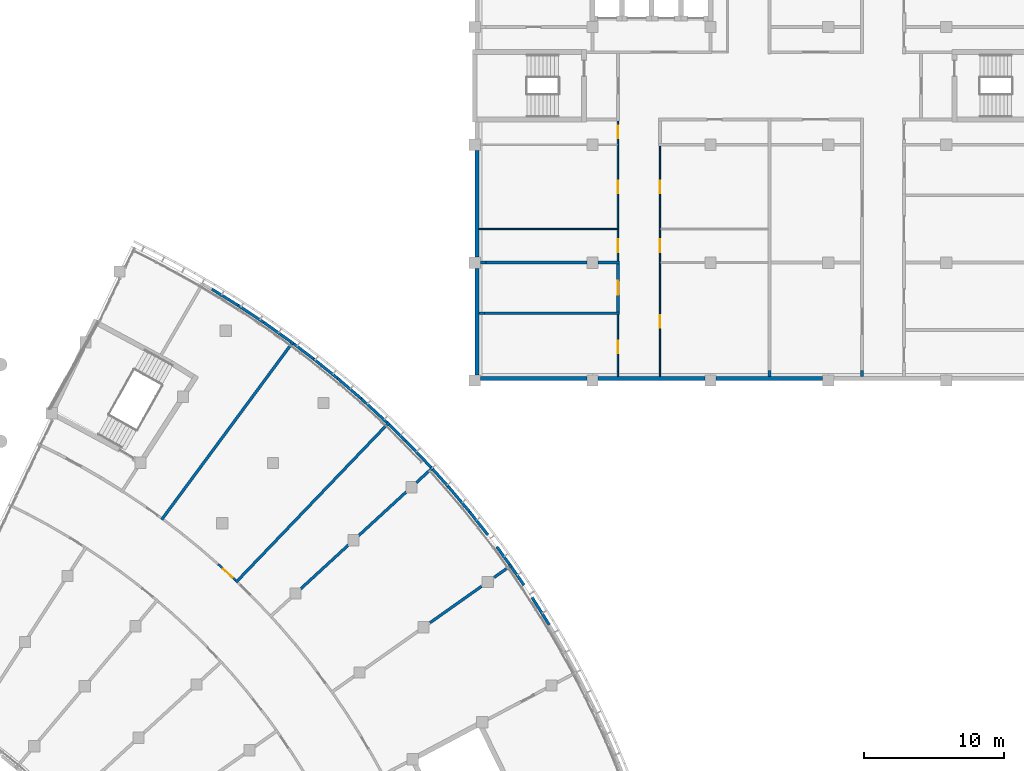
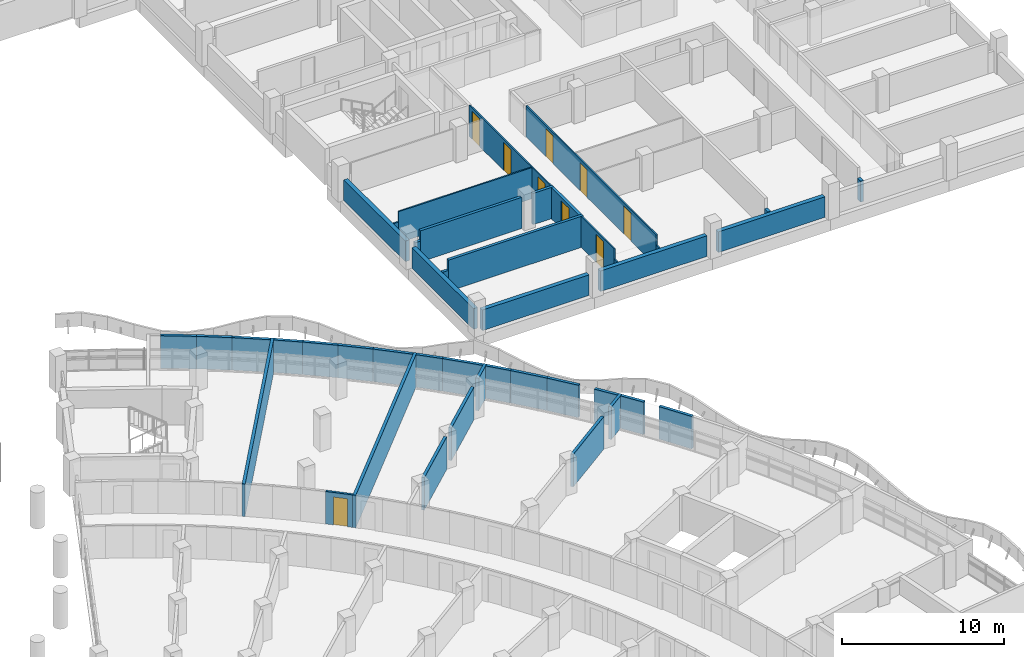
# One storey, part 54 of 89: 43 walls, 9 doors, 9 openings.
"""IFC4 building model written with IfcOpenShell, lengths in metres."""

from ifc_helpers import new_model, si_unit, direction, frame, frame_2d, origin, place, context, subcontext, project, spatial, rectangle, extrude, material, layer, layer_set, type_object, element, fill, save


model = new_model("IFC4")

# Units and contexts
model_context = context("Model", 3, precision=1e-05, world=origin(), true_north=direction((0.0, 1.0)))
body_context = subcontext(model_context, "Body", "Model", "MODEL_VIEW")
ifc_project = project(units=[si_unit("LENGTHUNIT", "METRE"), si_unit("AREAUNIT", "SQUARE_METRE"), si_unit("VOLUMEUNIT", "CUBIC_METRE"), si_unit("PLANEANGLEUNIT", "RADIAN"), si_unit("MASSUNIT", "GRAM", prefix="KILO")], contexts=[model_context])

# Site, building, storey
site_placement = place(None, origin())
site = spatial("IfcSite", under=ifc_project, at=site_placement, CompositionType="ELEMENT")
building_placement = place(site_placement, origin())
building = spatial("IfcBuilding", under=site, at=building_placement, Name="Bougainvillea Quay General Hospital", CompositionType="ELEMENT")
storey_placement = place(building_placement, frame((0.0, 0.0, 9.89990234375)))
storey = spatial("IfcBuildingStorey", under=building, at=storey_placement, Name="L01M", CompositionType="ELEMENT", Elevation=9.89990234375)

# Walls
ifc_material_1 = material(Name="Pale stone rainscreen cladding on insulated masonry backing, pale stone", Category="masonry")
ifc_layer_1 = layer(ifc_material_1, 0.300048828125)
ifc_layer_set_1 = layer_set([ifc_layer_1], Name="Pale stone rainscreen cladding on insulated masonry backing, pale stone")
wall_type_1 = type_object("IfcWallType", Name="External wall pale stone rainscreen 300", PredefinedType="STANDARD", material=ifc_layer_set_1)
for number, where, z_axis, x_axis, name in (
    (1, (163.949951171875, 92.0, 0.0), (0.0, 0.0, 1.0), (0.0, -1.0, 0.0), "External wall wall/V3/L01M/p0/00e"),
    (2, (163.949951171875, 83.60009765625, 0.0), (0.0, 0.0, 1.0), (0.0, -1.0, 0.0), "External wall wall/V3/L01M/p0/00f"),
    (3, (164.199951171875, 75.75, 0.0), (0.0, 0.0, 1.0), (1.0, 0.0, 0.0), "External wall wall/V3/L01M/p0/01a"),
):
    element("IfcWall", number, at=place(storey_placement, frame(where, z_axis=z_axis, x_axis=x_axis)), inside=storey, type_object=wall_type_1, Name=name, PredefinedType="STANDARD", context=body_context, shape_type="SweptSolid", body=[
        extrude(rectangle(XDim=7.60009765625, YDim=0.300048828125, at=frame_2d((3.800048828125, 0.0))), origin(), (0.0, 0.0, 1.0), 1.550048828125),
    ])
wall_1_placement = place(storey_placement, frame((172.60009765625, 75.75, 0.0), z_axis=(0.0, 0.0, 1.0), x_axis=(1.0, 0.0, 0.0)))
element("IfcWall", 4, at=wall_1_placement, inside=storey, type_object=wall_type_1, Name="External wall wall/V3/L01M/p0/01b", PredefinedType="STANDARD", context=body_context, shape_type="SweptSolid", body=[
    extrude(rectangle(XDim=7.599853515625, YDim=0.300048828125, at=frame_2d((3.7998046875, 0.0))), origin(), (0.0, 0.0, 1.0), 1.550048828125),
])
wall_2_placement = place(storey_placement, frame((181.0, 75.75, 0.0), z_axis=(0.0, 0.0, 1.0), x_axis=(1.0, 0.0, 0.0)))
element("IfcWall", 5, at=wall_2_placement, inside=storey, type_object=wall_type_1, Name="External wall wall/V3/L01M/p0/01c", PredefinedType="STANDARD", context=body_context, shape_type="SweptSolid", body=[
    extrude(rectangle(XDim=7.60009765625, YDim=0.300048828125, at=frame_2d((3.800048828125, 0.0))), origin(), (0.0, 0.0, 1.0), 1.550048828125),
])

# Wall, openings, doors
ifc_material_2 = material(Name="Gypsum board partition on steel studs", Category="steel")
ifc_layer_2 = layer(ifc_material_2, 0.10009765625)
ifc_layer_set_2 = layer_set([ifc_layer_2], Name="Gypsum board partition on steel studs")
wall_type_2 = type_object("IfcWallType", Name="Partition 100 Gypsum board partition", PredefinedType="PARTITIONING", material=ifc_layer_set_2)
wall_3_placement = place(storey_placement, frame((177.0, 92.300048828125, 0.0), z_axis=(0.0, 0.0, 1.0), x_axis=(0.0, -1.0, 0.0)))
wall_3 = element("IfcWall", 6, at=wall_3_placement, inside=storey, type_object=wall_type_2, Name="Partition 100 mm", PredefinedType="PARTITIONING", context=body_context, shape_type="SweptSolid", body=[
    extrude(rectangle(XDim=16.050048828125, YDim=0.10009765625, at=frame_2d((8.02490234375, 0.0))), origin(), (0.0, 0.0, 1.0), 2.35009765625),
])
opening_1_placement = place(wall_3_placement, frame((2.449951171875, 0.0, 0.0)))
opening_1 = element("IfcOpeningElement", 7, at=opening_1_placement, cuts=wall_3, Name="Opening L01M.059", PredefinedType="OPENING", context=body_context, shape_type="SweptSolid", body=[
    extrude(rectangle(XDim=0.89990234375, YDim=2.10009765625, at=frame_2d((0.449951171875, 1.050048828125))), frame((0.0, 0.06005859375, 0.0), z_axis=(0.0, -1.0, 0.0), x_axis=(1.0, 0.0, 0.0)), (0.0, 0.0, 1.0), 0.1201171875),
])
opening_2_placement = place(wall_3_placement, frame((6.64990234375, 0.0, 0.0)))
opening_2 = element("IfcOpeningElement", 8, at=opening_2_placement, cuts=wall_3, Name="Opening L01M.060", PredefinedType="OPENING", context=body_context, shape_type="SweptSolid", body=[
    extrude(rectangle(XDim=0.89990234375, YDim=2.10009765625, at=frame_2d((0.449951171875, 1.050048828125))), frame((0.0, 0.06005859375, 0.0), z_axis=(0.0, -1.0, 0.0), x_axis=(1.0, 0.0, 0.0)), (0.0, 0.0, 1.0), 0.1201171875),
])
opening_3_placement = place(wall_3_placement, frame((12.050048828125, 0.0, 0.0)))
opening_3 = element("IfcOpeningElement", 9, at=opening_3_placement, cuts=wall_3, Name="Opening L01M.061", PredefinedType="OPENING", context=body_context, shape_type="SweptSolid", body=[
    extrude(rectangle(XDim=0.89990234375, YDim=2.10009765625, at=frame_2d((0.449951171875, 1.050048828125))), frame((0.0, 0.06005859375, 0.0), z_axis=(0.0, -1.0, 0.0), x_axis=(1.0, 0.0, 0.0)), (0.0, 0.0, 1.0), 0.1201171875),
])
ifc_material_3 = material(Name="Solid-core timber door leaf in steel frame", Category="steel")
door_type_1 = type_object("IfcDoorType", Name="Single leaf door 900x2100", OperationType="NOTDEFINED", PredefinedType="DOOR", material=ifc_material_3)
door_1_placement = place(opening_1_placement, origin())
door_1 = element("IfcDoor", 10, at=door_1_placement, inside=storey, type_object=door_type_1, Name="DT07 L01M.059", OperationType="SINGLE_SWING_LEFT", OverallHeight=2.10009765625, OverallWidth=0.89990234375, PredefinedType="DOOR", context=body_context, shape_type="SweptSolid", body=[
    extrude(rectangle(XDim=0.89990234375, YDim=2.10009765625, at=frame_2d((0.449951171875, 1.050048828125))), frame((0.0, 0.02490234375, 0.0), z_axis=(0.0, -1.0, 0.0), x_axis=(1.0, 0.0, 0.0)), (0.0, 0.0, 1.0), 0.050048828125),
])
fill(opening_1, door_1)
door_2_placement = place(opening_2_placement, origin())
door_2 = element("IfcDoor", 11, at=door_2_placement, inside=storey, type_object=door_type_1, Name="DT07 L01M.060", OperationType="SINGLE_SWING_LEFT", OverallHeight=2.10009765625, OverallWidth=0.89990234375, PredefinedType="DOOR", context=body_context, shape_type="SweptSolid", body=[
    extrude(rectangle(XDim=0.89990234375, YDim=2.10009765625, at=frame_2d((0.449951171875, 1.050048828125))), frame((0.0, 0.02490234375, 0.0), z_axis=(0.0, -1.0, 0.0), x_axis=(1.0, 0.0, 0.0)), (0.0, 0.0, 1.0), 0.050048828125),
])
fill(opening_2, door_2)
door_3_placement = place(opening_3_placement, origin())
door_3 = element("IfcDoor", 12, at=door_3_placement, inside=storey, type_object=door_type_1, Name="DT07 L01M.061", OperationType="SINGLE_SWING_RIGHT", OverallHeight=2.10009765625, OverallWidth=0.89990234375, PredefinedType="DOOR", context=body_context, shape_type="SweptSolid", body=[
    extrude(rectangle(XDim=0.89990234375, YDim=2.10009765625, at=frame_2d((0.449951171875, 1.050048828125))), frame((0.0, 0.02490234375, 0.0), z_axis=(0.0, -1.0, 0.0), x_axis=(1.0, 0.0, 0.0)), (0.0, 0.0, 1.0), 0.050048828125),
])
fill(opening_3, door_3)

# Wall
wall_4_placement = place(storey_placement, frame((177.0, 76.25, 0.0), z_axis=(0.0, 0.0, 1.0), x_axis=(0.0, -1.0, 0.0)))
element("IfcWall", 13, at=wall_4_placement, inside=storey, type_object=wall_type_2, Name="Partition 100 mm", PredefinedType="PARTITIONING", context=body_context, shape_type="SweptSolid", body=[
    extrude(rectangle(XDim=0.35009765625, YDim=0.10009765625, at=frame_2d((0.175048828125, 0.0))), origin(), (0.0, 0.0, 1.0), 1.580078125),
])

# Wall, openings, doors
wall_5_placement = place(storey_placement, frame((174.0, 94.10009765625, 0.0), z_axis=(0.0, 0.0, 1.0), x_axis=(0.0, -1.0, 0.0)))
wall_5 = element("IfcWall", 14, at=wall_5_placement, inside=storey, type_object=wall_type_2, Name="Partition 100 mm", PredefinedType="PARTITIONING", context=body_context, shape_type="SweptSolid", body=[
    extrude(rectangle(XDim=10.0, YDim=0.10009765625, at=frame_2d((5.0, 0.0))), origin(), (0.0, 0.0, 1.0), 2.35009765625),
])
opening_4_placement = place(wall_5_placement, frame((0.35009765625, 0.0, 0.0)))
opening_4 = element("IfcOpeningElement", 15, at=opening_4_placement, cuts=wall_5, Name="Opening L01M.053", PredefinedType="OPENING", context=body_context, shape_type="SweptSolid", body=[
    extrude(rectangle(XDim=0.89990234375, YDim=2.10009765625, at=frame_2d((0.449951171875, 1.050048828125))), frame((0.0, 0.06005859375, 0.0), z_axis=(0.0, -1.0, 0.0), x_axis=(1.0, 0.0, 0.0)), (0.0, 0.0, 1.0), 0.1201171875),
])
opening_5_placement = place(wall_5_placement, frame((4.25, 0.0, 0.0)))
opening_5 = element("IfcOpeningElement", 16, at=opening_5_placement, cuts=wall_5, Name="Opening L01M.054", PredefinedType="OPENING", context=body_context, shape_type="SweptSolid", body=[
    extrude(rectangle(XDim=0.89990234375, YDim=2.10009765625, at=frame_2d((0.449951171875, 1.050048828125))), frame((0.0, 0.06005859375, 0.0), z_axis=(0.0, -1.0, 0.0), x_axis=(1.0, 0.0, 0.0)), (0.0, 0.0, 1.0), 0.1201171875),
])
opening_6_placement = place(wall_5_placement, frame((8.449951171875, 0.0, 0.0)))
opening_6 = element("IfcOpeningElement", 17, at=opening_6_placement, cuts=wall_5, Name="Opening L01M.055", PredefinedType="OPENING", context=body_context, shape_type="SweptSolid", body=[
    extrude(rectangle(XDim=0.89990234375, YDim=2.10009765625, at=frame_2d((0.449951171875, 1.050048828125))), frame((0.0, 0.06005859375, 0.0), z_axis=(0.0, -1.0, 0.0), x_axis=(1.0, 0.0, 0.0)), (0.0, 0.0, 1.0), 0.1201171875),
])
door_4_placement = place(opening_4_placement, frame((0.89990234375, 0.0, 0.0), z_axis=(0.0, 0.0, 1.0), x_axis=(-1.0, 0.0, 0.0)))
door_4 = element("IfcDoor", 18, at=door_4_placement, inside=storey, type_object=door_type_1, Name="DT07 L01M.053", OperationType="SINGLE_SWING_RIGHT", OverallHeight=2.10009765625, OverallWidth=0.89990234375, PredefinedType="DOOR", context=body_context, shape_type="SweptSolid", body=[
    extrude(rectangle(XDim=0.89990234375, YDim=2.10009765625, at=frame_2d((0.449951171875, 1.050048828125))), frame((0.0, 0.02490234375, 0.0), z_axis=(0.0, -1.0, 0.0), x_axis=(1.0, 0.0, 0.0)), (0.0, 0.0, 1.0), 0.050048828125),
])
fill(opening_4, door_4)
door_5_placement = place(opening_5_placement, frame((0.89990234375, 0.0, 0.0), z_axis=(0.0, 0.0, 1.0), x_axis=(-1.0, 0.0, 0.0)))
door_5 = element("IfcDoor", 19, at=door_5_placement, inside=storey, type_object=door_type_1, Name="DT07 L01M.054", OperationType="SINGLE_SWING_RIGHT", OverallHeight=2.10009765625, OverallWidth=0.89990234375, PredefinedType="DOOR", context=body_context, shape_type="SweptSolid", body=[
    extrude(rectangle(XDim=0.89990234375, YDim=2.10009765625, at=frame_2d((0.449951171875, 1.050048828125))), frame((0.0, 0.02490234375, 0.0), z_axis=(0.0, -1.0, 0.0), x_axis=(1.0, 0.0, 0.0)), (0.0, 0.0, 1.0), 0.050048828125),
])
fill(opening_5, door_5)
door_6_placement = place(opening_6_placement, frame((0.89990234375, 0.0, 0.0), z_axis=(0.0, 0.0, 1.0), x_axis=(-1.0, 0.0, 0.0)))
door_6 = element("IfcDoor", 20, at=door_6_placement, inside=storey, type_object=door_type_1, Name="DT07 L01M.055", OperationType="SINGLE_SWING_LEFT", OverallHeight=2.10009765625, OverallWidth=0.89990234375, PredefinedType="DOOR", context=body_context, shape_type="SweptSolid", body=[
    extrude(rectangle(XDim=0.89990234375, YDim=2.10009765625, at=frame_2d((0.449951171875, 1.050048828125))), frame((0.0, 0.02490234375, 0.0), z_axis=(0.0, -1.0, 0.0), x_axis=(1.0, 0.0, 0.0)), (0.0, 0.0, 1.0), 0.050048828125),
])
fill(opening_6, door_6)

# Walls
wall_6_placement = place(storey_placement, frame((164.10009765625, 86.39990234375, 0.0), z_axis=(0.0, 0.0, 1.0), x_axis=(1.0, 0.0, 0.0)))
element("IfcWall", 21, at=wall_6_placement, inside=storey, type_object=wall_type_2, Name="Partition 100 mm", PredefinedType="PARTITIONING", context=body_context, shape_type="SweptSolid", body=[
    extrude(rectangle(XDim=0.349853515625, YDim=0.10009765625, at=frame_2d((0.1748046875, 0.0))), origin(), (0.0, 0.0, 1.0), 1.580078125),
])
wall_7_placement = place(storey_placement, frame((164.449951171875, 86.39990234375, 0.0), z_axis=(0.0, 0.0, 1.0), x_axis=(1.0, 0.0, 0.0)))
element("IfcWall", 22, at=wall_7_placement, inside=storey, type_object=wall_type_2, Name="Partition 100 mm", PredefinedType="PARTITIONING", context=body_context, shape_type="SweptSolid", body=[
    extrude(rectangle(XDim=9.5, YDim=0.10009765625, at=frame_2d((4.75, 0.0))), origin(), (0.0, 0.0, 1.0), 2.35009765625),
])
wall_8_placement = place(storey_placement, frame((174.0, 75.89990234375, 0.0), z_axis=(0.0, 0.0, 1.0), x_axis=(0.0, 1.0, 0.0)))
element("IfcWall", 23, at=wall_8_placement, inside=storey, type_object=wall_type_2, Name="Partition 100 mm", PredefinedType="PARTITIONING", context=body_context, shape_type="SweptSolid", body=[
    extrude(rectangle(XDim=0.35009765625, YDim=0.10009765625, at=frame_2d((0.175048828125, 0.0))), origin(), (0.0, 0.0, 1.0), 1.580078125),
])

# Wall, opening, door
wall_9_placement = place(storey_placement, frame((174.0, 76.25, 0.0), z_axis=(0.0, 0.0, 1.0), x_axis=(0.0, 1.0, 0.0)))
wall_9 = element("IfcWall", 24, at=wall_9_placement, inside=storey, type_object=wall_type_2, Name="Partition 100 mm", PredefinedType="PARTITIONING", context=body_context, shape_type="SweptSolid", body=[
    extrude(rectangle(XDim=4.050048828125, YDim=0.10009765625, at=frame_2d((2.02490234375, 0.0))), origin(), (0.0, 0.0, 1.0), 2.35009765625),
])
opening_7_placement = place(wall_9_placement, frame((1.300048828125, 0.0, 0.0)))
opening_7 = element("IfcOpeningElement", 25, at=opening_7_placement, cuts=wall_9, Name="Opening L01M.057", PredefinedType="OPENING", context=body_context, shape_type="SweptSolid", body=[
    extrude(rectangle(XDim=0.89990234375, YDim=2.10009765625, at=frame_2d((0.449951171875, 1.050048828125))), frame((0.0, 0.06005859375, 0.0), z_axis=(0.0, -1.0, 0.0), x_axis=(1.0, 0.0, 0.0)), (0.0, 0.0, 1.0), 0.1201171875),
])
door_7_placement = place(opening_7_placement, origin())
door_7 = element("IfcDoor", 26, at=door_7_placement, inside=storey, type_object=door_type_1, Name="DT07 L01M.057", OperationType="SINGLE_SWING_LEFT", OverallHeight=2.10009765625, OverallWidth=0.89990234375, PredefinedType="DOOR", context=body_context, shape_type="SweptSolid", body=[
    extrude(rectangle(XDim=0.89990234375, YDim=2.10009765625, at=frame_2d((0.449951171875, 1.050048828125))), frame((0.0, 0.02490234375, 0.0), z_axis=(0.0, -1.0, 0.0), x_axis=(1.0, 0.0, 0.0)), (0.0, 0.0, 1.0), 0.050048828125),
])
fill(opening_7, door_7)

ifc_material_4 = material(Name="Gypsum board partition on steel studs, insulated", Category="steel")
ifc_layer_3 = layer(ifc_material_4, 0.14990234375)
ifc_layer_set_3 = layer_set([ifc_layer_3], Name="Gypsum board partition on steel studs, insulated")
wall_type_3 = type_object("IfcWallType", Name="Partition 150 Gypsum board partition EI 60", PredefinedType="PARTITIONING", material=ifc_layer_set_3)
wall_10_placement = place(storey_placement, frame((145.511962890625, 62.509033203125, 0.0), z_axis=(0.0, 0.0, 1.0), x_axis=(0.732859517364, -0.680379987808, 0.0)))
wall_10 = element("IfcWall", 27, at=wall_10_placement, inside=storey, type_object=wall_type_3, Name="Partition 150 mm EI 60", PredefinedType="PARTITIONING", context=body_context, shape_type="SweptSolid", body=[
    extrude(rectangle(XDim=1.7119140625, YDim=0.14990234375, at=frame_2d((0.85595703125, 0.0))), origin(), (0.0, 0.0, 1.0), 2.4501953125),
])
opening_8_placement = place(wall_10_placement, frame((0.492919921875, 0.0, 0.0)))
opening_8 = element("IfcOpeningElement", 28, at=opening_8_placement, cuts=wall_10, Name="Opening L01M.188", PredefinedType="OPENING", context=body_context, shape_type="SweptSolid", body=[
    extrude(rectangle(XDim=0.89990234375, YDim=2.10009765625, at=frame_2d((0.449951171875, 1.050048828125))), frame((0.0, 0.0849609375, 0.0), z_axis=(0.0, -1.0, 0.0), x_axis=(1.0, 0.0, 0.0)), (0.0, 0.0, 1.0), 0.169921875),
])
door_type_2 = type_object("IfcDoorType", Name="Single leaf door 900x2100 FD30S", OperationType="NOTDEFINED", PredefinedType="DOOR", material=ifc_material_3)
door_8_placement = place(opening_8_placement, origin())
door_8 = element("IfcDoor", 29, at=door_8_placement, inside=storey, type_object=door_type_2, Name="DT16 L01M.188", OperationType="SINGLE_SWING_RIGHT", OverallHeight=2.10009765625, OverallWidth=0.89990234375, PredefinedType="DOOR", context=body_context, shape_type="SweptSolid", body=[
    extrude(rectangle(XDim=0.89990234375, YDim=2.10009765625, at=frame_2d((0.449951171875, 1.050048828125))), frame((0.0, 0.02490234375, 0.0), z_axis=(0.0, -1.0, 0.0), x_axis=(1.0, 0.0, 0.0)), (0.0, 0.0, 1.0), 0.050048828125),
])
fill(opening_8, door_8)

# Walls
ifc_material_5 = material(Name="Fire-rated autoclaved aerated block wall, plastered")
ifc_layer_4 = layer(ifc_material_5, 0.199951171875)
ifc_layer_set_4 = layer_set([ifc_layer_4], Name="Fire-rated autoclaved aerated block wall, plastered")
wall_type_4 = type_object("IfcWallType", Name="Partition 200 Fire-rated autoclaved aerated block wall EI 120", PredefinedType="SOLIDWALL", material=ifc_layer_set_4)
for number, where, z_axis, x_axis, name in (
    (30, (184.800048828125, 76.300048828125, 0.0), (0.0, 0.0, 1.0), (0.0, -1.0, 0.0), "Partition 200 mm EI 120"),
    (31, (191.39990234375, 76.300048828125, 0.0), (0.0, 0.0, 1.0), (0.0, -1.0, 0.0), "Partition 200 mm EI 120"),
):
    element("IfcWall", number, at=place(storey_placement, frame(where, z_axis=z_axis, x_axis=x_axis)), inside=storey, type_object=wall_type_4, Name=name, PredefinedType="SOLIDWALL", context=body_context, shape_type="SweptSolid", body=[
        extrude(rectangle(XDim=0.400146484375, YDim=0.199951171875, at=frame_2d((0.2001953125, 0.0))), origin(), (0.0, 0.0, 1.0), 1.580078125),
    ])
ifc_layer_5 = layer(ifc_material_5, 0.199951171875)
ifc_layer_set_5 = layer_set([ifc_layer_5], Name="Fire-rated autoclaved aerated block wall, plastered")
wall_type_5 = type_object("IfcWallType", Name="Partition 200 Fire-rated autoclaved aerated block wall EI 60", PredefinedType="SOLIDWALL", material=ifc_layer_set_5)
wall_11_placement = place(storey_placement, frame((164.10009765625, 80.39990234375, 0.0), z_axis=(0.0, 0.0, 1.0), x_axis=(1.0, 0.0, 0.0)))
element("IfcWall", 32, at=wall_11_placement, inside=storey, type_object=wall_type_5, Name="Partition 200 mm EI 60", PredefinedType="SOLIDWALL", context=body_context, shape_type="SweptSolid", body=[
    extrude(rectangle(XDim=0.39990234375, YDim=0.199951171875, at=frame_2d((0.199951171875, 0.0))), origin(), (0.0, 0.0, 1.0), 1.580078125),
])
wall_12_placement = place(storey_placement, frame((164.5, 80.39990234375, 0.0), z_axis=(0.0, 0.0, 1.0), x_axis=(1.0, 0.0, 0.0)))
element("IfcWall", 33, at=wall_12_placement, inside=storey, type_object=wall_type_5, Name="Partition 200 mm EI 60", PredefinedType="SOLIDWALL", context=body_context, shape_type="SweptSolid", body=[
    extrude(rectangle(XDim=9.60009765625, YDim=0.199951171875, at=frame_2d((4.800048828125, 0.0))), origin(), (0.0, 0.0, 1.0), 2.35009765625),
])
wall_13_placement = place(storey_placement, frame((164.199951171875, 84.0, 0.0), z_axis=(0.0, 0.0, 1.0), x_axis=(1.0, 0.0, 0.0)))
element("IfcWall", 34, at=wall_13_placement, inside=storey, type_object=wall_type_5, Name="Partition 200 mm EI 60", PredefinedType="SOLIDWALL", context=body_context, shape_type="SweptSolid", body=[
    extrude(rectangle(XDim=0.400146484375, YDim=0.199951171875, at=frame_2d((0.2001953125, 0.0))), origin(), (0.0, 0.0, 1.0), 1.580078125),
])
wall_14_placement = place(storey_placement, frame((164.60009765625, 84.0, 0.0), z_axis=(0.0, 0.0, 1.0), x_axis=(1.0, 0.0, 0.0)))
element("IfcWall", 35, at=wall_14_placement, inside=storey, type_object=wall_type_5, Name="Partition 200 mm EI 60", PredefinedType="SOLIDWALL", context=body_context, shape_type="SweptSolid", body=[
    extrude(rectangle(XDim=7.199951171875, YDim=0.199951171875, at=frame_2d((3.60009765625, 0.0))), origin(), (0.0, 0.0, 1.0), 2.35009765625),
])
wall_15_placement = place(storey_placement, frame((172.60009765625, 84.0, 0.0), z_axis=(0.0, 0.0, 1.0), x_axis=(1.0, 0.0, 0.0)))
element("IfcWall", 36, at=wall_15_placement, inside=storey, type_object=wall_type_5, Name="Partition 200 mm EI 60", PredefinedType="SOLIDWALL", context=body_context, shape_type="SweptSolid", body=[
    extrude(rectangle(XDim=1.5, YDim=0.199951171875, at=frame_2d((0.75, 0.0))), origin(), (0.0, 0.0, 1.0), 2.35009765625),
])

# Wall, opening, door
wall_16_placement = place(storey_placement, frame((174.0, 80.5, 0.0), z_axis=(0.0, 0.0, 1.0), x_axis=(0.0, 1.0, 0.0)))
wall_16 = element("IfcWall", 37, at=wall_16_placement, inside=storey, type_object=wall_type_5, Name="Partition 200 mm EI 60", PredefinedType="SOLIDWALL", context=body_context, shape_type="SweptSolid", body=[
    extrude(rectangle(XDim=3.39990234375, YDim=0.199951171875, at=frame_2d((1.699951171875, 0.0))), origin(), (0.0, 0.0, 1.0), 2.35009765625),
])
opening_9_placement = place(wall_16_placement, frame((1.199951171875, 0.0, 0.0)))
opening_9 = element("IfcOpeningElement", 38, at=opening_9_placement, cuts=wall_16, Name="Opening L01M.056", PredefinedType="OPENING", context=body_context, shape_type="SweptSolid", body=[
    extrude(rectangle(XDim=1.0, YDim=2.10009765625, at=frame_2d((0.5, 1.050048828125))), frame((0.0, 0.10986328125, 0.0), z_axis=(0.0, -1.0, 0.0), x_axis=(1.0, 0.0, 0.0)), (0.0, 0.0, 1.0), 0.219970703125),
])
ifc_material_6 = material(Name="Steel fire door leaf in steel frame", Category="steel")
door_type_3 = type_object("IfcDoorType", Name="Steel single leaf door 1000x2100 FD60", OperationType="NOTDEFINED", PredefinedType="DOOR", material=ifc_material_6)
door_9_placement = place(opening_9_placement, origin())
door_9 = element("IfcDoor", 39, at=door_9_placement, inside=storey, type_object=door_type_3, Name="DT10 L01M.056", OperationType="SINGLE_SWING_LEFT", OverallHeight=2.10009765625, OverallWidth=1.0, PredefinedType="DOOR", context=body_context, shape_type="SweptSolid", body=[
    extrude(rectangle(XDim=1.0, YDim=2.10009765625, at=frame_2d((0.5, 1.050048828125))), frame((0.0, 0.02490234375, 0.0), z_axis=(0.0, -1.0, 0.0), x_axis=(1.0, 0.0, 0.0)), (0.0, 0.0, 1.0), 0.050048828125),
])
fill(opening_9, door_9)

# Walls
wall_17_placement = place(storey_placement, frame((141.489501953125, 65.687744140625, 0.0), z_axis=(0.0, 0.0, 1.0), x_axis=(0.594367118702, 0.804193837458, 0.0)))
element("IfcWall", 40, at=wall_17_placement, inside=storey, type_object=wall_type_5, Name="Partition 200 mm EI 60", PredefinedType="SOLIDWALL", context=body_context, shape_type="SweptSolid", body=[
    extrude(rectangle(XDim=15.769287109375, YDim=0.199951171875, at=frame_2d((7.884765625, 0.0))), origin(), (0.0, 0.0, 1.0), 2.4501953125),
])
wall_18_placement = place(storey_placement, frame((146.787109375, 61.222900390625, 0.0), z_axis=(0.0, 0.0, 1.0), x_axis=(0.69188047656, 0.722012054024, 0.0)))
element("IfcWall", 41, at=wall_18_placement, inside=storey, type_object=wall_type_5, Name="Partition 200 mm EI 60", PredefinedType="SOLIDWALL", context=body_context, shape_type="SweptSolid", body=[
    extrude(rectangle(XDim=15.767333984375, YDim=0.199951171875, at=frame_2d((7.8837890625, 0.0))), origin(), (0.0, 0.0, 1.0), 2.4501953125),
])
for number, where, z_axis, x_axis, name in (
    (42, (151.39111328125, 60.747802734375, 0.0), (0.0, 0.0, 1.0), (0.736519167744, 0.676416673025, 0.0), "Partition 200 mm EI 60"),
    (43, (155.515625, 64.535888671875, 0.0), (0.0, 0.0, 1.0), (0.736519167744, 0.676416673025, 0.0), "Partition 200 mm EI 60"),
):
    element("IfcWall", number, at=place(storey_placement, frame(where, z_axis=z_axis, x_axis=x_axis)), inside=storey, type_object=wall_type_5, Name=name, PredefinedType="SOLIDWALL", context=body_context, shape_type="SweptSolid", body=[
        extrude(rectangle(XDim=4.630859375, YDim=0.199951171875, at=frame_2d((2.3154296875, 0.0))), origin(), (0.0, 0.0, 1.0), 2.4501953125),
    ])
wall_19_placement = place(storey_placement, frame((159.64013671875, 68.32373046875, 0.0), z_axis=(0.0, 0.0, 1.0), x_axis=(0.73652371496, 0.676411721736, 0.0)))
element("IfcWall", 44, at=wall_19_placement, inside=storey, type_object=wall_type_5, Name="Partition 200 mm EI 60", PredefinedType="SOLIDWALL", context=body_context, shape_type="SweptSolid", body=[
    extrude(rectangle(XDim=1.6083984375, YDim=0.199951171875, at=frame_2d((0.80419921875, 0.0))), origin(), (0.0, 0.0, 1.0), 2.4501953125),
])
wall_20_placement = place(storey_placement, frame((160.6103515625, 58.3359375, 0.0), z_axis=(0.0, 0.0, 1.0), x_axis=(0.816610632943, 0.577188941479, 0.0)))
element("IfcWall", 45, at=wall_20_placement, inside=storey, type_object=wall_type_5, Name="Partition 200 mm EI 60", PredefinedType="SOLIDWALL", context=body_context, shape_type="SweptSolid", body=[
    extrude(rectangle(XDim=4.49072265625, YDim=0.199951171875, at=frame_2d((2.245361328125, 0.0))), origin(), (0.0, 0.0, 1.0), 2.4501953125),
])
wall_21_placement = place(storey_placement, frame((165.18310546875, 61.568115234375, 0.0), z_axis=(0.0, 0.0, 1.0), x_axis=(0.816707923867, 0.577051269033, 0.0)))
element("IfcWall", 46, at=wall_21_placement, inside=storey, type_object=wall_type_5, Name="Partition 200 mm EI 60", PredefinedType="SOLIDWALL", context=body_context, shape_type="SweptSolid", body=[
    extrude(rectangle(XDim=1.5361328125, YDim=0.199951171875, at=frame_2d((0.76806640625, 0.0))), origin(), (0.0, 0.0, 1.0), 2.4501953125),
])
wall_22_placement = place(storey_placement, frame((158.89306640625, 71.297607421875, 0.0), z_axis=(0.0, 0.0, 1.0), x_axis=(0.689145078358, -0.724623392511, 0.0)))
element("IfcWall", 47, at=wall_22_placement, inside=storey, type_object=wall_type_5, Name="Partition 200 mm EI 60", PredefinedType="SOLIDWALL", context=body_context, shape_type="SweptSolid", body=[
    extrude(rectangle(XDim=2.59423828125, YDim=0.199951171875, at=frame_2d((1.297119140625, 0.0))), origin(), (0.0, 0.0, 1.0), 2.4501953125),
])
wall_23_placement = place(storey_placement, frame((155.69775390625, 74.322998046875, 0.0), z_axis=(0.0, 0.0, 1.0), x_axis=(0.733436166399, -0.679758331922, 0.0)))
element("IfcWall", 48, at=wall_23_placement, inside=storey, type_object=wall_type_5, Name="Partition 200 mm EI 60", PredefinedType="SOLIDWALL", context=body_context, shape_type="SweptSolid", body=[
    extrude(rectangle(XDim=2.52880859375, YDim=0.199951171875, at=frame_2d((1.264404296875, 0.0))), origin(), (0.0, 0.0, 1.0), 2.4501953125),
])
wall_24_placement = place(storey_placement, frame((148.76953125, 79.7421875, 0.0), z_axis=(0.0, 0.0, 1.0), x_axis=(0.81363026413, -0.581382656511, 0.0)))
element("IfcWall", 49, at=wall_24_placement, inside=storey, type_object=wall_type_5, Name="Partition 200 mm EI 60", PredefinedType="SOLIDWALL", context=body_context, shape_type="SweptSolid", body=[
    extrude(rectangle(XDim=2.397705078125, YDim=0.199951171875, at=frame_2d((1.19873046875, 0.0))), origin(), (0.0, 0.0, 1.0), 2.4501953125),
])
wall_25_placement = place(storey_placement, frame((161.8916015625, 68.076416015625, 0.0), z_axis=(0.0, 0.0, 1.0), x_axis=(0.645062099555, -0.764130151033, 0.0)))
element("IfcWall", 50, at=wall_25_placement, inside=storey, type_object=wall_type_5, Name="Partition 200 mm EI 60", PredefinedType="SOLIDWALL", context=body_context, shape_type="SweptSolid", body=[
    extrude(rectangle(XDim=2.401123046875, YDim=0.199951171875, at=frame_2d((1.20068359375, 0.0))), origin(), (0.0, 0.0, 1.0), 2.4501953125),
])
wall_26_placement = place(storey_placement, frame((163.436279296875, 66.241943359375, 0.0), z_axis=(0.0, 0.0, 1.0), x_axis=(0.621065498837, -0.78375866576, 0.0)))
element("IfcWall", 51, at=wall_26_placement, inside=storey, type_object=wall_type_5, Name="Partition 200 mm EI 60", PredefinedType="SOLIDWALL", context=body_context, shape_type="SweptSolid", body=[
    extrude(rectangle(XDim=2.103759765625, YDim=0.199951171875, at=frame_2d((1.0517578125, 0.0))), origin(), (0.0, 0.0, 1.0), 2.4501953125),
])
wall_27_placement = place(storey_placement, frame((167.888916015625, 60.14111328125, 0.0), z_axis=(0.0, 0.0, 1.0), x_axis=(0.531695568785, -0.846935547804, 0.0)))
element("IfcWall", 52, at=wall_27_placement, inside=storey, type_object=wall_type_5, Name="Partition 200 mm EI 60", PredefinedType="SOLIDWALL", context=body_context, shape_type="SweptSolid", body=[
    extrude(rectangle(XDim=2.301025390625, YDim=0.199951171875, at=frame_2d((1.150390625, 0.0))), origin(), (0.0, 0.0, 1.0), 2.4501953125),
])
wall_28_placement = place(storey_placement, frame((154.0302734375, 75.75830078125, 0.0), z_axis=(0.0, 0.0, 1.0), x_axis=(0.756850411191, -0.653588138723, 0.0)))
element("IfcWall", 53, at=wall_28_placement, inside=storey, type_object=wall_type_5, Name="Partition 200 mm EI 60", PredefinedType="SOLIDWALL", context=body_context, shape_type="SweptSolid", body=[
    extrude(rectangle(XDim=2.20361328125, YDim=0.199951171875, at=frame_2d((1.101806640625, 0.0))), origin(), (0.0, 0.0, 1.0), 2.4501953125),
])
wall_29_placement = place(storey_placement, frame((146.935791015625, 80.95751953125, 0.0), z_axis=(0.0, 0.0, 1.0), x_axis=(0.832714538644, -0.553702534878, 0.0)))
element("IfcWall", 54, at=wall_29_placement, inside=storey, type_object=wall_type_5, Name="Partition 200 mm EI 60", PredefinedType="SOLIDWALL", context=body_context, shape_type="SweptSolid", body=[
    extrude(rectangle(XDim=2.203369140625, YDim=0.199951171875, at=frame_2d((1.1015625, 0.0))), origin(), (0.0, 0.0, 1.0), 2.4501953125),
])
for number, where, z_axis, x_axis, name in (
    (55, (152.3193359375, 77.14111328125, 0.0), (0.0, 0.0, 1.0), (0.776906656149, -0.629615793664, 0.0), "Partition 200 mm EI 60"),
    (56, (145.06494140625, 82.11474609375, 0.0), (0.0, 0.0, 1.0), (0.84965044074, -0.527346307989, 0.0), "Partition 200 mm EI 60"),
):
    element("IfcWall", number, at=place(storey_placement, frame(where, z_axis=z_axis, x_axis=x_axis)), inside=storey, type_object=wall_type_5, Name=name, PredefinedType="SOLIDWALL", context=body_context, shape_type="SweptSolid", body=[
        extrude(rectangle(XDim=2.202880859375, YDim=0.199951171875, at=frame_2d((1.1015625, 0.0))), origin(), (0.0, 0.0, 1.0), 2.4501953125),
    ])
wall_30_placement = place(storey_placement, frame((150.8837890625, 78.227783203125, 0.0), z_axis=(0.0, 0.0, 1.0), x_axis=(0.796248268415, -0.604969995162, 0.0)))
element("IfcWall", 57, at=wall_30_placement, inside=storey, type_object=wall_type_5, Name="Partition 200 mm EI 60", PredefinedType="SOLIDWALL", context=body_context, shape_type="SweptSolid", body=[
    extrude(rectangle(XDim=1.803466796875, YDim=0.199951171875, at=frame_2d((0.90185546875, 0.0))), origin(), (0.0, 0.0, 1.0), 2.4501953125),
])
wall_31_placement = place(storey_placement, frame((157.69921875, 72.464111328125, 0.0), z_axis=(0.0, 0.0, 1.0), x_axis=(0.713789484211, -0.700360316001, 0.0)))
element("IfcWall", 58, at=wall_31_placement, inside=storey, type_object=wall_type_5, Name="Partition 200 mm EI 60", PredefinedType="SOLIDWALL", context=body_context, shape_type="SweptSolid", body=[
    extrude(rectangle(XDim=1.672607421875, YDim=0.199951171875, at=frame_2d((0.83642578125, 0.0))), origin(), (0.0, 0.0, 1.0), 2.4501953125),
])
wall_32_placement = place(storey_placement, frame((160.818603515625, 69.268798828125, 0.0), z_axis=(0.0, 0.0, 1.0), x_axis=(0.667460779897, -0.744644953853, 0.0)))
element("IfcWall", 59, at=wall_32_placement, inside=storey, type_object=wall_type_5, Name="Partition 200 mm EI 60", PredefinedType="SOLIDWALL", context=body_context, shape_type="SweptSolid", body=[
    extrude(rectangle(XDim=1.60693359375, YDim=0.199951171875, at=frame_2d((0.803466796875, 0.0))), origin(), (0.0, 0.0, 1.0), 2.4501953125),
])
wall_33_placement = place(storey_placement, frame((166.413330078125, 62.31396484375, 0.0), z_axis=(0.0, 0.0, 1.0), x_axis=(0.568734828425, -0.822520938904, 0.0)))
element("IfcWall", 60, at=wall_33_placement, inside=storey, type_object=wall_type_5, Name="Partition 200 mm EI 60", PredefinedType="SOLIDWALL", context=body_context, shape_type="SweptSolid", body=[
    extrude(rectangle(XDim=1.57666015625, YDim=0.199951171875, at=frame_2d((0.788330078125, 0.0))), origin(), (0.0, 0.0, 1.0), 2.4501953125),
])
wall_34_placement = place(storey_placement, frame((165.375, 63.7548828125, 0.0), z_axis=(0.0, 0.0, 1.0), x_axis=(0.585660428218, -0.810556514266, 0.0)))
element("IfcWall", 61, at=wall_34_placement, inside=storey, type_object=wall_type_5, Name="Partition 200 mm EI 60", PredefinedType="SOLIDWALL", context=body_context, shape_type="SweptSolid", body=[
    extrude(rectangle(XDim=1.573974609375, YDim=0.199951171875, at=frame_2d((0.787109375, 0.0))), origin(), (0.0, 0.0, 1.0), 2.4501953125),
])

save(model, "model.ifc")
